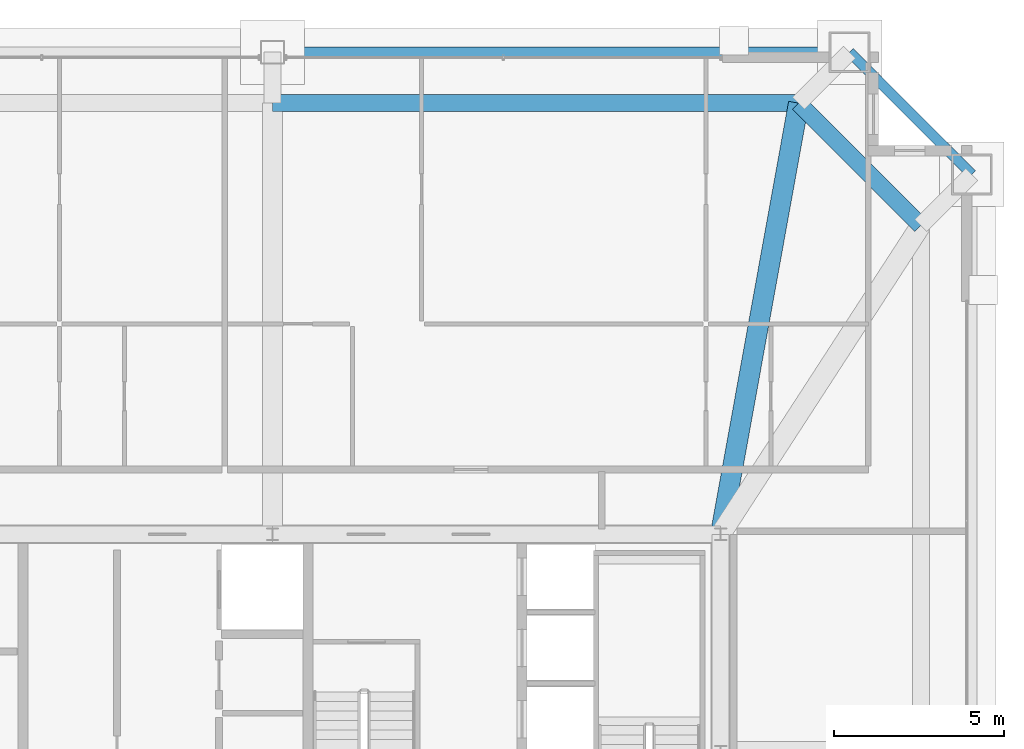
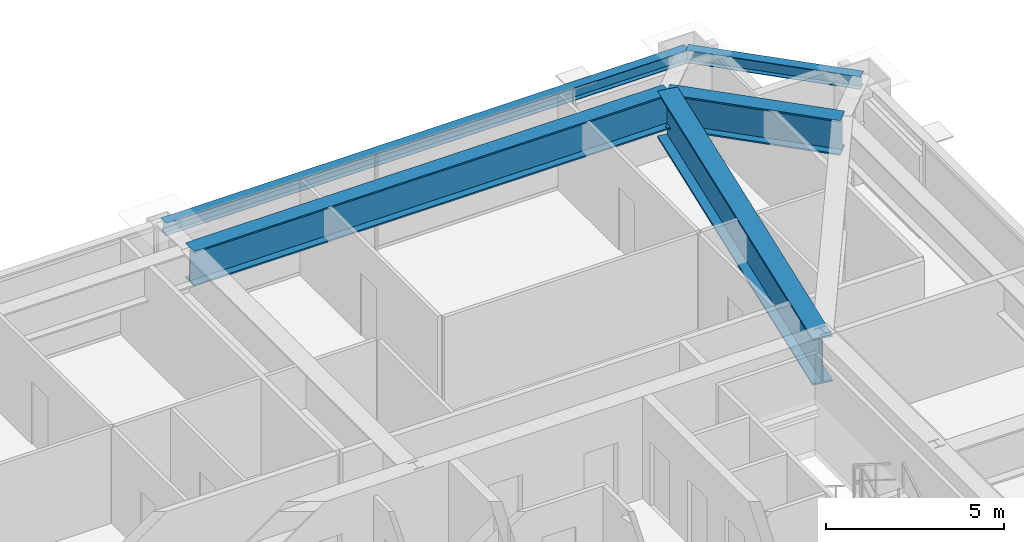
# One storey, part 26 of 33: 5 beams.
"""IFC4 building model written with IfcOpenShell, lengths in metres."""

from ifc_helpers import new_model, si_unit, direction, frame, origin, origin_2d, place, context, subcontext, project, spatial, i_section, extrude, source, transform, mapped, material, material_profile, profile_set, type_object, element, save


model = new_model("IFC4")

# Units and contexts
model_context = context("Model", 3, precision=1e-05, world=origin(), true_north=direction((0.0, 1.0)))
body_context = subcontext(model_context, "Body", "Model", "MODEL_VIEW")
ifc_project = project(units=[si_unit("LENGTHUNIT", "METRE"), si_unit("AREAUNIT", "SQUARE_METRE"), si_unit("VOLUMEUNIT", "CUBIC_METRE"), si_unit("PLANEANGLEUNIT", "RADIAN"), si_unit("MASSUNIT", "GRAM", prefix="KILO"), si_unit("THERMODYNAMICTEMPERATUREUNIT", "KELVIN"), si_unit("POWERUNIT", "WATT")], contexts=[model_context])

# Site, building, storey
site_placement = place(None, origin())
site = spatial("IfcSite", under=ifc_project, at=site_placement, CompositionType="ELEMENT")
building_placement = place(site_placement, origin())
building = spatial("IfcBuilding", under=site, at=building_placement, Name="Yuzanri Waterfront Tower", CompositionType="ELEMENT")
storey_placement = place(building_placement, frame((0.0, 0.0, 282.10009765625)))
storey = spatial("IfcBuildingStorey", under=building, at=storey_placement, Name="L75", CompositionType="ELEMENT", Elevation=282.10009765625)

# Beams
ifc_material_1 = material(Name="Steel Q420GJC", Category="steel")
ifc_material_profile_1 = material_profile(ifc_material_1, i_section(OverallWidth=0.5, OverallDepth=1.199951171875, WebThickness=0.028076171875, FlangeThickness=0.050048828125, at=origin_2d()), Name="PG 1200x500x28x50")
ifc_profile_set_1 = profile_set([ifc_material_profile_1], Name="Steel Q420GJC")
beam_type_1 = type_object("IfcBeamType", Name="Setback Transfer Girder Q420GJC PG 1200x500", PredefinedType="USERDEFINED", material=ifc_profile_set_1)
shared_shape_1 = source(origin(), body_context, "Body", "SweptSolid", [
    extrude(i_section(OverallWidth=0.5, OverallDepth=1.199951171875, WebThickness=0.028076171875, FlangeThickness=0.050048828125, at=origin_2d()), origin(), (0.0, 0.0, 1.0), 5.091064453125),
])
beam_1_placement = place(storey_placement, frame((56.10009765625, 41.300048828125, 2.679931640625), z_axis=(-0.707130757816, 0.707082803744, 0.0), x_axis=(-0.707082803744, -0.707130757816, 0.0)))
element("IfcBeam", 1, at=beam_1_placement, inside=storey, type_object=beam_type_1, Name="L75 Setback Upper Ring E3-N3", ObjectType="GIRDER", PredefinedType="USERDEFINED", context=body_context, shape_type="MappedRepresentation", body=[
    mapped(shared_shape_1, transform((0.0, 0.0, 0.0), scale=1.0)),
])
ifc_material_2 = material(Name="Steel Q355B", Category="steel")
ifc_material_profile_2 = material_profile(ifc_material_2, i_section(OverallWidth=0.300048828125, OverallDepth=0.43994140625, WebThickness=0.010986328125, FlangeThickness=0.01806640625, at=origin_2d()), Name="HM 440x300x11x18")
ifc_profile_set_2 = profile_set([ifc_material_profile_2], Name="Steel Q355B")
beam_type_2 = type_object("IfcBeamType", Name="Perimeter Spandrel Q355B HM 440x300", PredefinedType="SPANDREL", material=ifc_profile_set_2)
shared_shape_2 = source(origin(), body_context, "Body", "SweptSolid", [
    extrude(i_section(OverallWidth=0.300048828125, OverallDepth=0.43994140625, WebThickness=0.010986328125, FlangeThickness=0.01806640625, at=origin_2d()), origin(), (0.0, 0.0, 1.0), 5.091064453125),
])
beam_2_placement = place(storey_placement, frame((57.60009765625, 42.800048828125, 3.059814453125), z_axis=(-0.707130757816, 0.707082803744, 0.0), x_axis=(-0.707082803744, -0.707130757816, 0.0)))
element("IfcBeam", 2, at=beam_2_placement, inside=storey, type_object=beam_type_2, Name="L75 Perimeter Spandrel E3-N3", PredefinedType="SPANDREL", context=body_context, shape_type="MappedRepresentation", body=[
    mapped(shared_shape_2, transform((0.0, 0.0, 0.0), scale=1.0)),
])
shared_shape_3 = source(origin(), body_context, "Body", "SweptSolid", [
    extrude(i_section(OverallWidth=0.300048828125, OverallDepth=0.43994140625, WebThickness=0.010986328125, FlangeThickness=0.01806640625, at=origin_2d()), origin(), (0.0, 0.0, 1.0), 17.0),
])
beam_3_placement = place(storey_placement, frame((54.0, 46.39990234375, 3.059814453125), z_axis=(-1.0, 0.0, 0.0), x_axis=(0.0, -1.0, 0.0)))
element("IfcBeam", 3, at=beam_3_placement, inside=storey, type_object=beam_type_2, Name="L75 Perimeter Spandrel N3-N2", PredefinedType="SPANDREL", context=body_context, shape_type="MappedRepresentation", body=[
    mapped(shared_shape_3, transform((0.0, 0.0, 0.0), scale=1.0)),
])
ifc_material_3 = material(Name="Steel Q420GJC", Category="steel")
ifc_material_profile_3 = material_profile(ifc_material_3, i_section(OverallWidth=0.60009765625, OverallDepth=1.60009765625, WebThickness=0.031982421875, FlangeThickness=0.06005859375, at=origin_2d()), Name="PG 1600x600x32x60")
ifc_profile_set_3 = profile_set([ifc_material_profile_3], Name="Steel Q420GJC")
beam_type_3 = type_object("IfcBeamType", Name="Ballroom Transfer Girder Q420GJC PG 1600x600", PredefinedType="USERDEFINED", material=ifc_profile_set_3)
shared_shape_4 = source(origin(), body_context, "Body", "SweptSolid", [
    extrude(i_section(OverallWidth=0.60009765625, OverallDepth=1.60009765625, WebThickness=0.031982421875, FlangeThickness=0.06005859375, at=origin_2d()), origin(), (0.0, 0.0, 1.0), 12.906494140625),
])
beam_4_placement = place(storey_placement, frame((50.199951171875, 32.199951171875, 2.47998046875), z_axis=(0.178207899331, 0.983992858011, 0.0), x_axis=(-0.983992858011, 0.178207899331, 0.0)))
element("IfcBeam", 4, at=beam_4_placement, inside=storey, type_object=beam_type_3, Name="L75 Setback Inner Transfer N3", ObjectType="GIRDER", PredefinedType="USERDEFINED", context=body_context, shape_type="MappedRepresentation", body=[
    mapped(shared_shape_4, transform((0.0, 0.0, 0.0), scale=1.0)),
])
shared_shape_5 = source(origin(), body_context, "Body", "SweptSolid", [
    extrude(i_section(OverallWidth=0.5, OverallDepth=1.199951171875, WebThickness=0.028076171875, FlangeThickness=0.050048828125, at=origin_2d()), origin(), (0.0, 0.0, 1.0), 15.5),
])
beam_5_placement = place(storey_placement, frame((52.5, 44.89990234375, 2.679931640625), z_axis=(-1.0, 0.0, 0.0), x_axis=(0.0, -1.0, 0.0)))
element("IfcBeam", 5, at=beam_5_placement, inside=storey, type_object=beam_type_1, Name="L75 Setback Upper Ring N3-N2", ObjectType="GIRDER", PredefinedType="USERDEFINED", context=body_context, shape_type="MappedRepresentation", body=[
    mapped(shared_shape_5, transform((0.0, 0.0, 0.0), scale=1.0)),
])

save(model, "model.ifc")
